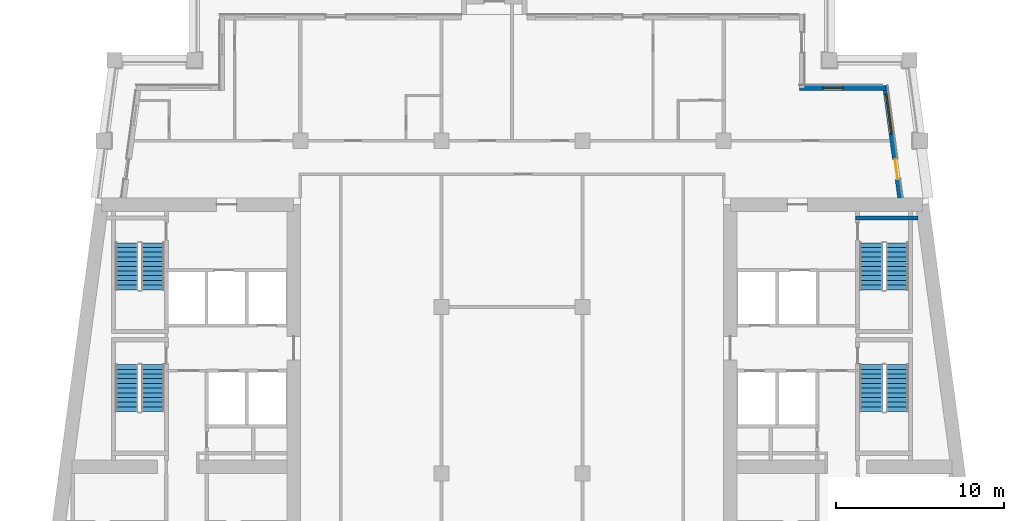
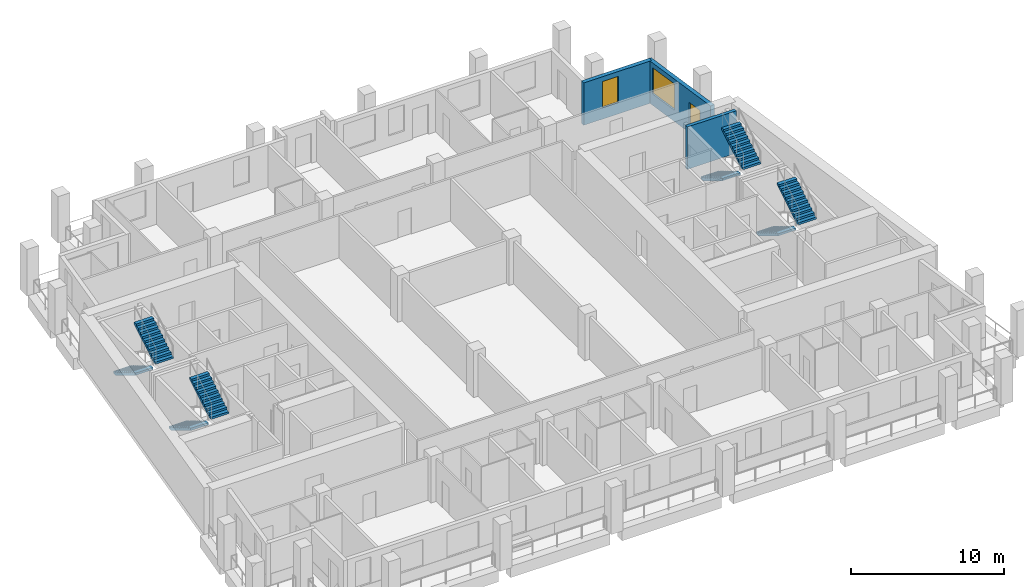
# One storey, part 7 of 12: 8 stair flights, 3 walls, 2 windows, 1 door, 3 openings, 4 elements without a shape of their own.
"""IFC4 building model written with IfcOpenShell, lengths in metres."""

import ifcopenshell
import ifcopenshell.guid

model = None  # the IFC model being written
_history = None  # IfcOwnerHistory: only IFC2X3 demands one
_inside = {}  # id of a spatial element -> (the spatial element, [elements in it])
_under = {}  # id of a project, library or spatial element -> (it, [spatial elements below it])
_declared = {}  # id of a project -> (the project, [libraries it declares])
_typed = {}  # id of a type object -> (the type object, [elements of that type])
_made_of = {}  # id of a material, layer set ... -> (it, [elements and type objects made of it])


def new_model(schema):
    """Start an empty IFC model of exactly this schema.

    Asked for "IFC4X3", IfcOpenShell would pick the latest addendum, in which some entities
    have other attributes; the version numbers below select the first issue.
    IFC2X3 requires an IfcOwnerHistory on every rooted entity: one is made here for all.
    """
    global model, _history
    if schema == "IFC4X3":
        model = ifcopenshell.file(schema_version=(4, 3, 0, 0))
    else:
        model = ifcopenshell.file(schema=schema)
    _inside.clear()
    _under.clear()
    _declared.clear()
    _typed.clear()
    _made_of.clear()
    _history = None
    if model.schema == "IFC2X3":
        org = make("IfcOrganization", Name="unknown")
        user = make(
            "IfcPersonAndOrganization",
            ThePerson=make("IfcPerson", FamilyName="unknown"),
            TheOrganization=org,
        )
        app = make(
            "IfcApplication",
            ApplicationDeveloper=org,
            Version="unknown",
            ApplicationFullName="unknown",
            ApplicationIdentifier="unknown",
        )
        _history = make(
            "IfcOwnerHistory",
            OwningUser=user,
            OwningApplication=app,
            ChangeAction="ADDED",
            CreationDate=0,
        )
    return model


def make(cls, **values):
    """One entity of the class cls with the attributes given. An attribute that is None is left unset."""
    return model.create_entity(
        cls, **{name: value for name, value in values.items() if value is not None}
    )


def rooted(cls, **values):
    """An entity with a GlobalId (a new one), such as an element, a storey or a relation."""
    return make(cls, GlobalId=ifcopenshell.guid.new(), OwnerHistory=_history, **values)


def si_unit(unit_type, name, prefix=None):
    """IfcSIUnit, for example si_unit("LENGTHUNIT", "METRE", prefix="MILLI")."""
    return make("IfcSIUnit", UnitType=unit_type, Prefix=prefix, Name=name)


def assignment(units):
    """IfcUnitAssignment: the units of a project."""
    return None if units is None else make("IfcUnitAssignment", Units=units)


def point(xyz):
    """IfcCartesianPoint."""
    return None if xyz is None else make("IfcCartesianPoint", Coordinates=xyz)


def direction(xyz):
    """IfcDirection."""
    return None if xyz is None else make("IfcDirection", DirectionRatios=xyz)


def frame(location, z_axis=None, x_axis=None):
    """IfcAxis2Placement3D, a coordinate frame: its origin and axes. An axis left out is left unset."""
    return make(
        "IfcAxis2Placement3D",
        Location=point(location),
        Axis=direction(z_axis),
        RefDirection=direction(x_axis),
    )


def frame_2d(location, x_axis=None):
    """IfcAxis2Placement2D, a coordinate frame in the plane: its origin and x axis."""
    return make(
        "IfcAxis2Placement2D", Location=point(location), RefDirection=direction(x_axis)
    )


def origin():
    """The frame at (0, 0, 0) with its axes left unset."""
    return frame((0.0, 0.0, 0.0))


def place(relative_to, where):
    """IfcLocalPlacement: puts the frame where relative to a parent placement (None: the world)."""
    return make(
        "IfcLocalPlacement", PlacementRelTo=relative_to, RelativePlacement=where
    )


def context(
    kind, dimensions, precision=None, world=None, true_north=None, identifier=None
):
    """IfcGeometricRepresentationContext, for example the 3D "Model" context."""
    return make(
        "IfcGeometricRepresentationContext",
        ContextIdentifier=identifier,
        ContextType=kind,
        CoordinateSpaceDimension=dimensions,
        Precision=precision,
        WorldCoordinateSystem=world,
        TrueNorth=true_north,
    )


def subcontext(parent, identifier, kind, view, scale=None):
    """IfcGeometricRepresentationSubContext, for example "Body" below "Model"."""
    return make(
        "IfcGeometricRepresentationSubContext",
        ContextIdentifier=identifier,
        ContextType=kind,
        ParentContext=parent,
        TargetScale=scale,
        TargetView=view,
    )


def project(units=None, contexts=None):
    """IfcProject with its units and contexts."""
    return rooted(
        "IfcProject",
        Name="project",
        RepresentationContexts=contexts,
        UnitsInContext=assignment(units),
    )


def spatial(cls, under=None, at=None, **own):
    """A site, building, storey or space (cls), placed at a placement, below another one or the project."""
    s = rooted(cls, ObjectPlacement=at, **own)
    if under is not None:
        _under.setdefault(under.id(), (under, []))[1].append(s)
    return s


def polyline(points):
    """IfcPolyline through the points."""
    return make("IfcPolyline", Points=[point(p) for p in points])


def profile(cls, at=None, kind="AREA", **sizes):
    """A parametric profile (cls). Its sizes go by their IFC names, for example OverallWidth=200.0."""
    return make(cls, ProfileType=kind, Position=at, **sizes)


def rectangle(**sizes):
    """IfcRectangleProfileDef."""
    return profile("IfcRectangleProfileDef", **sizes)


def outline(outer, holes=None, kind="AREA"):
    """IfcArbitraryClosedProfileDef: a profile drawn as a closed curve; with holes, ...WithVoids."""
    if holes is None:
        return make("IfcArbitraryClosedProfileDef", ProfileType=kind, OuterCurve=outer)
    return make(
        "IfcArbitraryProfileDefWithVoids",
        ProfileType=kind,
        OuterCurve=outer,
        InnerCurves=holes,
    )


def extrude(swept, where, along, depth):
    """IfcExtrudedAreaSolid: the profile swept, set in the frame where, extruded along a direction by depth."""
    return make(
        "IfcExtrudedAreaSolid",
        SweptArea=swept,
        Position=where,
        ExtrudedDirection=direction(along),
        Depth=depth,
    )


def shape(context_of_items, identifier, shape_type, items):
    """IfcShapeRepresentation: the items that make up one representation, for example the "Body"."""
    return make(
        "IfcShapeRepresentation",
        ContextOfItems=context_of_items,
        RepresentationIdentifier=identifier,
        RepresentationType=shape_type,
        Items=items,
    )


def material(Name=None, Category=None):
    """IfcMaterial."""
    return make("IfcMaterial", Name=Name, Category=Category)


def layer(
    of_material, thickness, ventilated=None, Name=None, Category=None, Priority=None
):
    """IfcMaterialLayer: one layer of a wall or slab, of a material (None: an air gap)."""
    return make(
        "IfcMaterialLayer",
        Material=of_material,
        LayerThickness=thickness,
        IsVentilated=ventilated,
        Name=Name,
        Category=Category,
        Priority=Priority,
    )


def layer_set(layers, Name=None):
    """IfcMaterialLayerSet."""
    return make("IfcMaterialLayerSet", MaterialLayers=layers, LayerSetName=Name)


def made_of(thing, what):
    """Note that an element or type object is made of a material, layer set ...; save() writes the relation."""
    if what is not None:
        _made_of.setdefault(what.id(), (what, []))[1].append(thing)
    return thing


def type_object(cls, material=None, **own):
    """A type object (cls), such as IfcWallType, which elements share."""
    return made_of(rooted(cls, **own), material)


def element(
    cls,
    number,
    at=None,
    inside=None,
    cuts=None,
    type_object=None,
    material=None,
    context=None,
    identifier="Body",
    shape_type=None,
    held_by="IfcProductDefinitionShape",
    body=None,
    shapes=None,
    **own,
):
    """One element of the class cls, such as IfcWall. Its Tag is "e" and its number.

    at: its placement. inside: the storey or other place that contains it. cuts: it is an
    opening in that element (IfcRelVoidsElement). A single representation is given by context,
    identifier, shape_type and body (its items); several are given by shapes. held_by: the class
    of the entity that holds the representations. save() writes the other relations.
    """
    e = rooted(cls, Tag="e%d" % number, ObjectPlacement=at, **own)
    if body is not None:
        shapes = [shape(context, identifier, shape_type, body)]
    if shapes is not None:
        e.Representation = make(held_by, Representations=shapes)
    if inside is not None:
        _inside.setdefault(inside.id(), (inside, []))[1].append(e)
    if cuts is not None:
        rooted(
            "IfcRelVoidsElement", RelatingBuildingElement=cuts, RelatedOpeningElement=e
        )
    if type_object is not None:
        _typed.setdefault(type_object.id(), (type_object, []))[1].append(e)
    return made_of(e, material)


def fill(opening, filler):
    """IfcRelFillsElement: the door or window that sits in an opening."""
    return rooted(
        "IfcRelFillsElement",
        RelatingOpeningElement=opening,
        RelatedBuildingElement=filler,
    )


def aggregate(whole, parts):
    """IfcRelAggregates: a whole, such as a stair, and the parts it consists of."""
    return rooted("IfcRelAggregates", RelatingObject=whole, RelatedObjects=parts)


def save(model, path):
    """Write the relations noted so far, then the file.

    IfcRelAggregates (storeys below a building ...), IfcRelContainedInSpatialStructure (elements
    in a storey), IfcRelDefinesByType, IfcRelAssociatesMaterial and IfcRelDeclares: one each for
    every whole, place, type object, material and project.
    """
    for whole, parts in _under.values():
        aggregate(whole, parts)
    for where, things in _inside.values():
        rooted(
            "IfcRelContainedInSpatialStructure",
            RelatedElements=things,
            RelatingStructure=where,
        )
    for kind, things in _typed.values():
        rooted("IfcRelDefinesByType", RelatedObjects=things, RelatingType=kind)
    for what, things in _made_of.values():
        rooted("IfcRelAssociatesMaterial", RelatedObjects=things, RelatingMaterial=what)
    for by, libraries in _declared.values():
        rooted("IfcRelDeclares", RelatingContext=by, RelatedDefinitions=libraries)
    model.write(path)


model = new_model("IFC4")

# Units and contexts
model_context = context("Model", 3, precision=1e-05, world=origin(), true_north=direction((0.0, 1.0)))
body_context = subcontext(model_context, "Body", "Model", "MODEL_VIEW")
ifc_project = project(units=[si_unit("LENGTHUNIT", "METRE"), si_unit("AREAUNIT", "SQUARE_METRE"), si_unit("VOLUMEUNIT", "CUBIC_METRE"), si_unit("PLANEANGLEUNIT", "RADIAN"), si_unit("MASSUNIT", "GRAM", prefix="KILO")], contexts=[model_context])

# Site, building, storey
site_placement = place(None, origin())
site = spatial("IfcSite", under=ifc_project, at=site_placement, CompositionType="ELEMENT")
building_placement = place(site_placement, origin())
building = spatial("IfcBuilding", under=site, at=building_placement, Name="Candeia Pilgrim Tower and Theatre", CompositionType="ELEMENT")
storey_placement = place(building_placement, frame((0.0, 0.0, 231.800048828125)))
storey = spatial("IfcBuildingStorey", under=building, at=storey_placement, Name="L56", CompositionType="ELEMENT", Elevation=231.800048828125)

# Wall, openings, door, window
ifc_material_1 = material(Name="Ceramic block masonry", Category="masonry")
ifc_layer_1 = layer(ifc_material_1, 0.300048828125)
ifc_layer_set_1 = layer_set([ifc_layer_1], Name="EW1 glazing-line wall 300")
wall_type_1 = type_object("IfcWallType", Name="EW1 glazing-line wall 300", PredefinedType="SOLIDWALL", material=ifc_layer_set_1)
wall_1_placement = place(storey_placement, frame((136.50439453125, 132.39990234375, 0.0), z_axis=(0.0, 0.0, 1.0), x_axis=(-0.133399697462, 0.99106231929, 0.0)))
wall_1 = element("IfcWall", 1, at=wall_1_placement, inside=storey, type_object=wall_type_1, Name="External wall L56-3.1", PredefinedType="SOLIDWALL", context=body_context, shape_type="SweptSolid", body=[
    extrude(rectangle(XDim=6.740478515625, YDim=0.300048828125, at=frame_2d((3.3701171875, 0.0))), origin(), (0.0, 0.0, 1.0), 3.3798828125),
])
opening_1_placement = place(wall_1_placement, frame((1.115234375, 0.0, 0.0)))
opening_1 = element("IfcOpeningElement", 2, at=opening_1_placement, cuts=wall_1, Name="Opening L56-ED538", PredefinedType="OPENING", context=body_context, shape_type="SweptSolid", body=[
    extrude(rectangle(XDim=1.199951171875, YDim=2.39990234375, at=frame_2d((0.60009765625, 1.199951171875))), frame((0.0, 0.16015625, 0.0), z_axis=(0.0, -1.0, 0.0), x_axis=(1.0, 0.0, 0.0)), (0.0, 0.0, 1.0), 0.320068359375),
])
opening_2_placement = place(wall_1_placement, frame((3.83544921875, 0.0, 0.89990234375)))
opening_2 = element("IfcOpeningElement", 3, at=opening_2_placement, cuts=wall_1, Name="Opening W-A", PredefinedType="OPENING", context=body_context, shape_type="SweptSolid", body=[
    extrude(rectangle(XDim=2.39990234375, YDim=2.10009765625, at=frame_2d((1.199951171875, 1.050048828125))), frame((0.0, 0.16015625, 0.0), z_axis=(0.0, -1.0, 0.0), x_axis=(1.0, 0.0, 0.0)), (0.0, 0.0, 1.0), 0.320068359375),
])
ifc_material_2 = material(Name="Aluminium framed glazed door", Category="aluminium")
door_type = type_object("IfcDoorType", Name="Loggia door 1200x2400", OperationType="DOUBLE_DOOR_SINGLE_SWING", PredefinedType="DOOR", material=ifc_material_2)
door_placement = place(opening_1_placement, origin())
door = element("IfcDoor", 4, at=door_placement, inside=storey, type_object=door_type, Name="Loggia door L56-ED538", OperationType="DOUBLE_DOOR_SINGLE_SWING", OverallHeight=2.39990234375, OverallWidth=1.199951171875, PredefinedType="DOOR", context=body_context, shape_type="SweptSolid", body=[
    extrude(rectangle(XDim=1.199951171875, YDim=2.39990234375, at=frame_2d((0.60009765625, 1.199951171875))), frame((0.0, 0.02490234375, 0.0), z_axis=(0.0, -1.0, 0.0), x_axis=(1.0, 0.0, 0.0)), (0.0, 0.0, 1.0), 0.050048828125),
])
fill(opening_1, door)
ifc_material_3 = material(Name="Aluminium framed double glazing", Category="aluminium")
window_type_1 = type_object("IfcWindowType", Name="W-A window 2400x2100", PartitioningType="DOUBLE_PANEL_VERTICAL", PredefinedType="WINDOW", material=ifc_material_3)
window_1_placement = place(opening_2_placement, origin())
window_1 = element("IfcWindow", 5, at=window_1_placement, inside=storey, type_object=window_type_1, Name="Window W-A L56", OverallHeight=2.10009765625, OverallWidth=2.39990234375, PartitioningType="SINGLE_PANEL", PredefinedType="WINDOW", context=body_context, shape_type="SweptSolid", body=[
    extrude(rectangle(XDim=2.39990234375, YDim=2.10009765625, at=frame_2d((1.199951171875, 1.050048828125))), frame((0.0, 0.030029296875, 0.0), z_axis=(0.0, -1.0, 0.0), x_axis=(1.0, 0.0, 0.0)), (0.0, 0.0, 1.0), 0.06005859375),
])
fill(opening_2, window_1)

# Wall, opening, window
wall_2_placement = place(storey_placement, frame((135.62255859375, 138.949951171875, 0.0), z_axis=(0.0, 0.0, 1.0), x_axis=(-1.0, 0.0, 0.0)))
wall_2 = element("IfcWall", 6, at=wall_2_placement, inside=storey, type_object=wall_type_1, Name="External wall L56-4.0", PredefinedType="SOLIDWALL", context=body_context, shape_type="SweptSolid", body=[
    extrude(rectangle(XDim=5.12255859375, YDim=0.300048828125, at=frame_2d((2.561279296875, 0.0))), origin(), (0.0, 0.0, 1.0), 3.3798828125),
])
opening_3_placement = place(wall_2_placement, frame((2.522705078125, 0.0, 0.89990234375)))
opening_3 = element("IfcOpeningElement", 7, at=opening_3_placement, cuts=wall_2, Name="Opening W-B", PredefinedType="OPENING", context=body_context, shape_type="SweptSolid", body=[
    extrude(rectangle(XDim=1.199951171875, YDim=2.10009765625, at=frame_2d((0.60009765625, 1.050048828125))), frame((0.0, 0.16015625, 0.0), z_axis=(0.0, -1.0, 0.0), x_axis=(1.0, 0.0, 0.0)), (0.0, 0.0, 1.0), 0.320068359375),
])
window_type_2 = type_object("IfcWindowType", Name="W-B window 1200x2100", PartitioningType="SINGLE_PANEL", PredefinedType="WINDOW", material=ifc_material_3)
window_2_placement = place(opening_3_placement, origin())
window_2 = element("IfcWindow", 8, at=window_2_placement, inside=storey, type_object=window_type_2, Name="Window W-B L56", OverallHeight=2.10009765625, OverallWidth=1.199951171875, PartitioningType="SINGLE_PANEL", PredefinedType="WINDOW", context=body_context, shape_type="SweptSolid", body=[
    extrude(rectangle(XDim=1.199951171875, YDim=2.10009765625, at=frame_2d((0.60009765625, 1.050048828125))), frame((0.0, 0.030029296875, 0.0), z_axis=(0.0, -1.0, 0.0), x_axis=(1.0, 0.0, 0.0)), (0.0, 0.0, 1.0), 0.06005859375),
])
fill(opening_3, window_2)

# Wall
ifc_material_4 = material(Name="Concrete C40/50", Category="concrete")
ifc_layer_2 = layer(ifc_material_4, 0.25)
ifc_layer_set_2 = layer_set([ifc_layer_2], Name="SW-250 stair wall")
wall_type_2 = type_object("IfcWallType", Name="SW-250 stair wall", PredefinedType="PARTITIONING", material=ifc_layer_set_2)
wall_3_placement = place(storey_placement, frame((133.847900390625, 131.199951171875, 0.0), z_axis=(0.0, 0.0, 1.0), x_axis=(1.0, 0.0, 0.0)))
element("IfcWall", 9, at=wall_3_placement, inside=storey, type_object=wall_type_2, Name="Stair wall L56-038", PredefinedType="PARTITIONING", context=body_context, shape_type="SweptSolid", body=[
    extrude(rectangle(XDim=3.705810546875, YDim=0.25, at=frame_2d((1.85302734375, 0.0))), origin(), (0.0, 0.0, 1.0), 3.3798828125),
])

# Stair, stair flights
stair_type = type_object("IfcStairType", Name="ST-TWR dog-leg escape stair", PredefinedType="HALF_TURN_STAIR", material=ifc_material_4)
stair_1_placement = place(storey_placement, origin())
stair_1 = element("IfcStair", 10, at=stair_1_placement, inside=storey, type_object=stair_type, Name="L56 Escape stair ST1", PredefinedType="HALF_TURN_STAIR")
stair_flight_type = type_object("IfcStairFlightType", Name="SFL-RC stair flight", PredefinedType="STRAIGHT", material=ifc_material_4)
stair_flight_1_placement = place(storey_placement, frame((90.47705078125, 122.47509765625, 0.0), z_axis=(0.0, 0.0, 1.0), x_axis=(0.0, -1.0, 0.0)))
stair_flight_1 = element("IfcStairFlight", 11, at=stair_flight_1_placement, type_object=stair_flight_type, Name="ST1 flight 1", NumberOfRisers=11, NumberOfTreads=10, PredefinedType="STRAIGHT", RiserHeight=0.168181818, TreadLength=0.28, context=body_context, shape_type="SweptSolid", body=[
    extrude(outline(polyline([(0.0, 0.0), (0.0, 0.168212890625), (0.280029296875, 0.168212890625), (0.280029296875, 0.33642578125), (0.56005859375, 0.33642578125), (0.56005859375, 0.504638671875), (0.840087890625, 0.504638671875), (0.840087890625, 0.672607421875), (1.1201171875, 0.672607421875), (1.1201171875, 0.8408203125), (1.39990234375, 0.8408203125), (1.39990234375, 1.009033203125), (1.679931640625, 1.009033203125), (1.679931640625, 1.17724609375), (1.9599609375, 1.17724609375), (1.9599609375, 1.345458984375), (2.239990234375, 1.345458984375), (2.239990234375, 1.513671875), (2.52001953125, 1.513671875), (2.52001953125, 1.681884765625), (2.800048828125, 1.681884765625), (2.800048828125, 1.85009765625), (2.800048828125, 1.5068359375), (0.291015625, 0.0), (0.0, 0.0)])), frame((0.0, 0.675048828125, 0.0), z_axis=(0.0, -1.0, 0.0), x_axis=(1.0, 0.0, 0.0)), (0.0, 0.0, 1.0), 1.35009765625),
])
stair_flight_2_placement = place(storey_placement, frame((92.027099609375, 119.675048828125, 1.849853515625), z_axis=(0.0, 0.0, 1.0), x_axis=(0.0, 1.0, 0.0)))
stair_flight_2 = element("IfcStairFlight", 12, at=stair_flight_2_placement, type_object=stair_flight_type, Name="ST1 flight 2", NumberOfRisers=11, NumberOfTreads=10, PredefinedType="STRAIGHT", RiserHeight=0.168181818, TreadLength=0.28, context=body_context, shape_type="SweptSolid", body=[
    extrude(outline(polyline([(0.0, 0.0), (0.0, 0.168212890625), (0.280029296875, 0.168212890625), (0.280029296875, 0.33642578125), (0.56005859375, 0.33642578125), (0.56005859375, 0.504638671875), (0.840087890625, 0.504638671875), (0.840087890625, 0.672607421875), (1.1201171875, 0.672607421875), (1.1201171875, 0.8408203125), (1.39990234375, 0.8408203125), (1.39990234375, 1.009033203125), (1.679931640625, 1.009033203125), (1.679931640625, 1.17724609375), (1.9599609375, 1.17724609375), (1.9599609375, 1.345458984375), (2.239990234375, 1.345458984375), (2.239990234375, 1.513671875), (2.52001953125, 1.513671875), (2.52001953125, 1.681884765625), (2.800048828125, 1.681884765625), (2.800048828125, 1.85009765625), (2.800048828125, 1.5068359375), (0.291015625, 0.0), (0.0, 0.0)])), frame((0.0, 0.675048828125, 0.0), z_axis=(0.0, -1.0, 0.0), x_axis=(1.0, 0.0, 0.0)), (0.0, 0.0, 1.0), 1.35009765625),
])
aggregate(stair_1, [stair_flight_1, stair_flight_2])

stair_2_placement = place(storey_placement, origin())
stair_2 = element("IfcStair", 13, at=stair_2_placement, inside=storey, type_object=stair_type, Name="L56 Escape stair ST2", PredefinedType="HALF_TURN_STAIR")
stair_flight_3_placement = place(storey_placement, frame((90.47705078125, 129.72509765625, 0.0), z_axis=(0.0, 0.0, 1.0), x_axis=(0.0, -1.0, 0.0)))
stair_flight_3 = element("IfcStairFlight", 14, at=stair_flight_3_placement, type_object=stair_flight_type, Name="ST2 flight 1", NumberOfRisers=11, NumberOfTreads=10, PredefinedType="STRAIGHT", RiserHeight=0.168181818, TreadLength=0.28, context=body_context, shape_type="SweptSolid", body=[
    extrude(outline(polyline([(0.0, 0.0), (0.0, 0.168212890625), (0.280029296875, 0.168212890625), (0.280029296875, 0.33642578125), (0.56005859375, 0.33642578125), (0.56005859375, 0.504638671875), (0.840087890625, 0.504638671875), (0.840087890625, 0.672607421875), (1.1201171875, 0.672607421875), (1.1201171875, 0.8408203125), (1.39990234375, 0.8408203125), (1.39990234375, 1.009033203125), (1.679931640625, 1.009033203125), (1.679931640625, 1.17724609375), (1.9599609375, 1.17724609375), (1.9599609375, 1.345458984375), (2.239990234375, 1.345458984375), (2.239990234375, 1.513671875), (2.52001953125, 1.513671875), (2.52001953125, 1.681884765625), (2.800048828125, 1.681884765625), (2.800048828125, 1.85009765625), (2.800048828125, 1.5068359375), (0.291015625, 0.0), (0.0, 0.0)])), frame((0.0, 0.675048828125, 0.0), z_axis=(0.0, -1.0, 0.0), x_axis=(1.0, 0.0, 0.0)), (0.0, 0.0, 1.0), 1.35009765625),
])
stair_flight_4_placement = place(storey_placement, frame((92.027099609375, 126.925048828125, 1.849853515625), z_axis=(0.0, 0.0, 1.0), x_axis=(0.0, 1.0, 0.0)))
stair_flight_4 = element("IfcStairFlight", 15, at=stair_flight_4_placement, type_object=stair_flight_type, Name="ST2 flight 2", NumberOfRisers=11, NumberOfTreads=10, PredefinedType="STRAIGHT", RiserHeight=0.168181818, TreadLength=0.28, context=body_context, shape_type="SweptSolid", body=[
    extrude(outline(polyline([(0.0, 0.0), (0.0, 0.168212890625), (0.280029296875, 0.168212890625), (0.280029296875, 0.33642578125), (0.56005859375, 0.33642578125), (0.56005859375, 0.504638671875), (0.840087890625, 0.504638671875), (0.840087890625, 0.672607421875), (1.1201171875, 0.672607421875), (1.1201171875, 0.8408203125), (1.39990234375, 0.8408203125), (1.39990234375, 1.009033203125), (1.679931640625, 1.009033203125), (1.679931640625, 1.17724609375), (1.9599609375, 1.17724609375), (1.9599609375, 1.345458984375), (2.239990234375, 1.345458984375), (2.239990234375, 1.513671875), (2.52001953125, 1.513671875), (2.52001953125, 1.681884765625), (2.800048828125, 1.681884765625), (2.800048828125, 1.85009765625), (2.800048828125, 1.5068359375), (0.291015625, 0.0), (0.0, 0.0)])), frame((0.0, 0.675048828125, 0.0), z_axis=(0.0, -1.0, 0.0), x_axis=(1.0, 0.0, 0.0)), (0.0, 0.0, 1.0), 1.35009765625),
])
aggregate(stair_2, [stair_flight_3, stair_flight_4])

stair_3_placement = place(storey_placement, origin())
stair_3 = element("IfcStair", 16, at=stair_3_placement, inside=storey, type_object=stair_type, Name="L56 Escape stair ST3", PredefinedType="HALF_TURN_STAIR")
stair_flight_5_placement = place(storey_placement, frame((134.77294921875, 122.47509765625, 0.0), z_axis=(0.0, 0.0, 1.0), x_axis=(0.0, -1.0, 0.0)))
stair_flight_5 = element("IfcStairFlight", 17, at=stair_flight_5_placement, type_object=stair_flight_type, Name="ST3 flight 1", NumberOfRisers=11, NumberOfTreads=10, PredefinedType="STRAIGHT", RiserHeight=0.168181818, TreadLength=0.28, context=body_context, shape_type="SweptSolid", body=[
    extrude(outline(polyline([(0.0, 0.0), (0.0, 0.168212890625), (0.280029296875, 0.168212890625), (0.280029296875, 0.33642578125), (0.56005859375, 0.33642578125), (0.56005859375, 0.504638671875), (0.840087890625, 0.504638671875), (0.840087890625, 0.672607421875), (1.1201171875, 0.672607421875), (1.1201171875, 0.8408203125), (1.39990234375, 0.8408203125), (1.39990234375, 1.009033203125), (1.679931640625, 1.009033203125), (1.679931640625, 1.17724609375), (1.9599609375, 1.17724609375), (1.9599609375, 1.345458984375), (2.239990234375, 1.345458984375), (2.239990234375, 1.513671875), (2.52001953125, 1.513671875), (2.52001953125, 1.681884765625), (2.800048828125, 1.681884765625), (2.800048828125, 1.85009765625), (2.800048828125, 1.5068359375), (0.291015625, 0.0), (0.0, 0.0)])), frame((0.0, 0.675048828125, 0.0), z_axis=(0.0, -1.0, 0.0), x_axis=(1.0, 0.0, 0.0)), (0.0, 0.0, 1.0), 1.35009765625),
])
stair_flight_6_placement = place(storey_placement, frame((136.322998046875, 119.675048828125, 1.849853515625), z_axis=(0.0, 0.0, 1.0), x_axis=(0.0, 1.0, 0.0)))
stair_flight_6 = element("IfcStairFlight", 18, at=stair_flight_6_placement, type_object=stair_flight_type, Name="ST3 flight 2", NumberOfRisers=11, NumberOfTreads=10, PredefinedType="STRAIGHT", RiserHeight=0.168181818, TreadLength=0.28, context=body_context, shape_type="SweptSolid", body=[
    extrude(outline(polyline([(0.0, 0.0), (0.0, 0.168212890625), (0.280029296875, 0.168212890625), (0.280029296875, 0.33642578125), (0.56005859375, 0.33642578125), (0.56005859375, 0.504638671875), (0.840087890625, 0.504638671875), (0.840087890625, 0.672607421875), (1.1201171875, 0.672607421875), (1.1201171875, 0.8408203125), (1.39990234375, 0.8408203125), (1.39990234375, 1.009033203125), (1.679931640625, 1.009033203125), (1.679931640625, 1.17724609375), (1.9599609375, 1.17724609375), (1.9599609375, 1.345458984375), (2.239990234375, 1.345458984375), (2.239990234375, 1.513671875), (2.52001953125, 1.513671875), (2.52001953125, 1.681884765625), (2.800048828125, 1.681884765625), (2.800048828125, 1.85009765625), (2.800048828125, 1.5068359375), (0.291015625, 0.0), (0.0, 0.0)])), frame((0.0, 0.675048828125, 0.0), z_axis=(0.0, -1.0, 0.0), x_axis=(1.0, 0.0, 0.0)), (0.0, 0.0, 1.0), 1.35009765625),
])
aggregate(stair_3, [stair_flight_5, stair_flight_6])

stair_4_placement = place(storey_placement, origin())
stair_4 = element("IfcStair", 19, at=stair_4_placement, inside=storey, type_object=stair_type, Name="L56 Escape stair ST4", PredefinedType="HALF_TURN_STAIR")
stair_flight_7_placement = place(storey_placement, frame((134.77294921875, 129.72509765625, 0.0), z_axis=(0.0, 0.0, 1.0), x_axis=(0.0, -1.0, 0.0)))
stair_flight_7 = element("IfcStairFlight", 20, at=stair_flight_7_placement, type_object=stair_flight_type, Name="ST4 flight 1", NumberOfRisers=11, NumberOfTreads=10, PredefinedType="STRAIGHT", RiserHeight=0.168181818, TreadLength=0.28, context=body_context, shape_type="SweptSolid", body=[
    extrude(outline(polyline([(0.0, 0.0), (0.0, 0.168212890625), (0.280029296875, 0.168212890625), (0.280029296875, 0.33642578125), (0.56005859375, 0.33642578125), (0.56005859375, 0.504638671875), (0.840087890625, 0.504638671875), (0.840087890625, 0.672607421875), (1.1201171875, 0.672607421875), (1.1201171875, 0.8408203125), (1.39990234375, 0.8408203125), (1.39990234375, 1.009033203125), (1.679931640625, 1.009033203125), (1.679931640625, 1.17724609375), (1.9599609375, 1.17724609375), (1.9599609375, 1.345458984375), (2.239990234375, 1.345458984375), (2.239990234375, 1.513671875), (2.52001953125, 1.513671875), (2.52001953125, 1.681884765625), (2.800048828125, 1.681884765625), (2.800048828125, 1.85009765625), (2.800048828125, 1.5068359375), (0.291015625, 0.0), (0.0, 0.0)])), frame((0.0, 0.675048828125, 0.0), z_axis=(0.0, -1.0, 0.0), x_axis=(1.0, 0.0, 0.0)), (0.0, 0.0, 1.0), 1.35009765625),
])
stair_flight_8_placement = place(storey_placement, frame((136.322998046875, 126.925048828125, 1.849853515625), z_axis=(0.0, 0.0, 1.0), x_axis=(0.0, 1.0, 0.0)))
stair_flight_8 = element("IfcStairFlight", 21, at=stair_flight_8_placement, type_object=stair_flight_type, Name="ST4 flight 2", NumberOfRisers=11, NumberOfTreads=10, PredefinedType="STRAIGHT", RiserHeight=0.168181818, TreadLength=0.28, context=body_context, shape_type="SweptSolid", body=[
    extrude(outline(polyline([(0.0, 0.0), (0.0, 0.168212890625), (0.280029296875, 0.168212890625), (0.280029296875, 0.33642578125), (0.56005859375, 0.33642578125), (0.56005859375, 0.504638671875), (0.840087890625, 0.504638671875), (0.840087890625, 0.672607421875), (1.1201171875, 0.672607421875), (1.1201171875, 0.8408203125), (1.39990234375, 0.8408203125), (1.39990234375, 1.009033203125), (1.679931640625, 1.009033203125), (1.679931640625, 1.17724609375), (1.9599609375, 1.17724609375), (1.9599609375, 1.345458984375), (2.239990234375, 1.345458984375), (2.239990234375, 1.513671875), (2.52001953125, 1.513671875), (2.52001953125, 1.681884765625), (2.800048828125, 1.681884765625), (2.800048828125, 1.85009765625), (2.800048828125, 1.5068359375), (0.291015625, 0.0), (0.0, 0.0)])), frame((0.0, 0.675048828125, 0.0), z_axis=(0.0, -1.0, 0.0), x_axis=(1.0, 0.0, 0.0)), (0.0, 0.0, 1.0), 1.35009765625),
])
aggregate(stair_4, [stair_flight_7, stair_flight_8])

save(model, "model.ifc")
